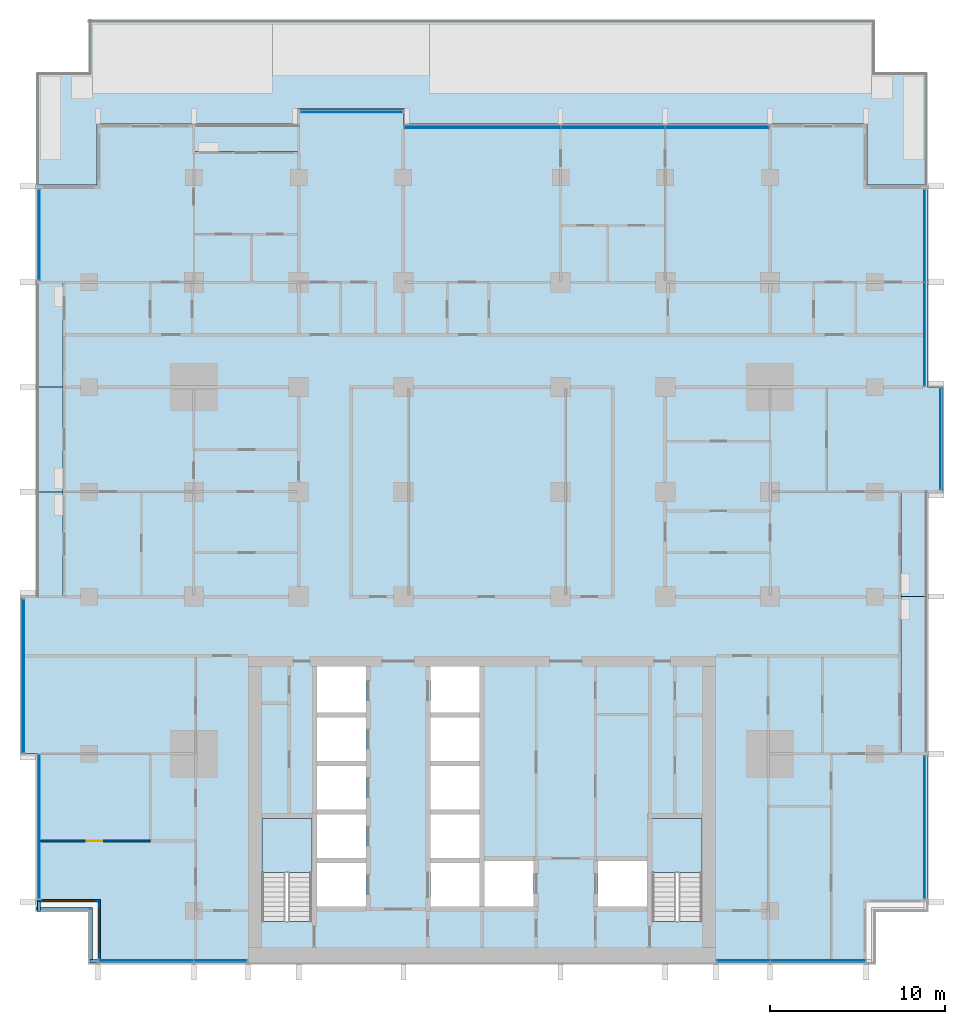
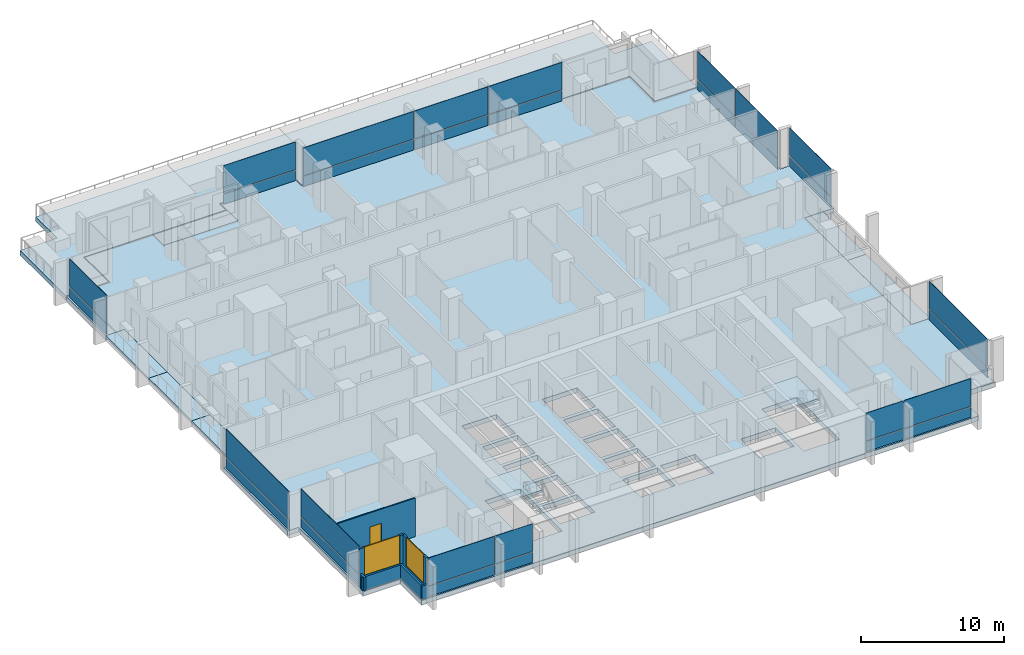
# One storey, part 6 of 19: 30 plates, 10 slabs, 7 walls, 2 windows, 1 door, 3 openings, 12 elements without a shape of their own.
"""IFC4 building model written with IfcOpenShell, lengths in metres."""

from ifc_helpers import new_model, si_unit, direction, frame, frame_2d, origin, origin_2d, place, context, subcontext, project, spatial, polyline, rectangle, outline, extrude, material, layer, layer_set, type_object, element, fill, aggregate, save


model = new_model("IFC4")

# Units and contexts
model_context = context("Model", 3, precision=1e-05, world=origin(), true_north=direction((0.0, 1.0)))
body_context = subcontext(model_context, "Body", "Model", "MODEL_VIEW")
ifc_project = project(units=[si_unit("LENGTHUNIT", "METRE"), si_unit("AREAUNIT", "SQUARE_METRE"), si_unit("VOLUMEUNIT", "CUBIC_METRE"), si_unit("PLANEANGLEUNIT", "RADIAN"), si_unit("MASSUNIT", "GRAM", prefix="KILO")], contexts=[model_context])

# Site, building, storey
site_placement = place(None, origin())
site = spatial("IfcSite", under=ifc_project, at=site_placement, CompositionType="ELEMENT")
building_placement = place(site_placement, origin())
building = spatial("IfcBuilding", under=site, at=building_placement, Name="Finial Court Residences", CompositionType="ELEMENT")
storey_placement = place(building_placement, frame((0.0, 0.0, 81.10009765625)))
storey = spatial("IfcBuildingStorey", under=building, at=storey_placement, Name="L19", CompositionType="ELEMENT", Elevation=81.10009765625)

# Slabs
ifc_material_1 = material(Name="Concrete C35/45", Category="concrete")
ifc_layer_1 = layer(ifc_material_1, 0.199951171875)
ifc_layer_set_1 = layer_set([ifc_layer_1], Name="Balcony slab, Concrete C35/45 200")
slab_type_1 = type_object("IfcSlabType", Name="Balcony slab, Concrete C35/45 200", PredefinedType="FLOOR", material=ifc_layer_set_1)
slab_1_placement = place(storey_placement, frame((0.0, 0.0, -0.2001953125)))
element("IfcSlab", 1, at=slab_1_placement, inside=storey, type_object=slab_type_1, Name="Balcony L19-N2", PredefinedType="FLOOR", context=body_context, shape_type="SweptSolid", body=[
    extrude(outline(polyline([(-10.5, 21.0), (-10.5, 22.5), (-16.5, 22.5), (-16.5, 21.0), (-10.5, 21.0)])), origin(), (0.0, 0.0, 1.0), 0.2001953125),
])
slab_2_placement = place(storey_placement, frame((0.0, 0.0, -0.2001953125)))
element("IfcSlab", 2, at=slab_2_placement, inside=storey, type_object=slab_type_1, Name="Balcony L19-E2", PredefinedType="FLOOR", context=body_context, shape_type="SweptSolid", body=[
    extrude(outline(polyline([(25.5, -13.5), (25.5, -4.5), (24.0, -4.5), (24.0, -13.5), (25.5, -13.5)])), origin(), (0.0, 0.0, 1.0), 0.2001953125),
])
slab_3_placement = place(storey_placement, frame((0.0, 0.0, -0.2001953125)))
element("IfcSlab", 3, at=slab_3_placement, inside=storey, type_object=slab_type_1, Name="Balcony L19-E3", PredefinedType="FLOOR", context=body_context, shape_type="SweptSolid", body=[
    extrude(outline(polyline([(25.5, -4.5), (25.5, 1.5), (24.0, 1.5), (24.0, -4.5), (25.5, -4.5)])), origin(), (0.0, 0.0, 1.0), 0.2001953125),
])
slab_4_placement = place(storey_placement, frame((0.0, 0.0, -0.2001953125)))
element("IfcSlab", 4, at=slab_4_placement, inside=storey, type_object=slab_type_1, Name="Balcony L19-W3", PredefinedType="FLOOR", context=body_context, shape_type="SweptSolid", body=[
    extrude(outline(polyline([(-24.0, -4.5), (-24.0, 1.5), (-25.5, 1.5), (-25.5, -4.5), (-24.0, -4.5)])), origin(), (0.0, 0.0, 1.0), 0.2001953125),
])
slab_5_placement = place(storey_placement, frame((0.0, 0.0, -0.2001953125)))
element("IfcSlab", 5, at=slab_5_placement, inside=storey, type_object=slab_type_1, Name="Balcony L19-W4", PredefinedType="FLOOR", context=body_context, shape_type="SweptSolid", body=[
    extrude(outline(polyline([(-24.0, 1.5), (-24.0, 7.5), (-25.5, 7.5), (-25.5, 1.5), (-24.0, 1.5)])), origin(), (0.0, 0.0, 1.0), 0.2001953125),
])
slab_6_placement = place(storey_placement, frame((0.0, 0.0, -0.2001953125)))
element("IfcSlab", 6, at=slab_6_placement, inside=storey, type_object=slab_type_1, Name="Balcony L19-W5", PredefinedType="FLOOR", context=body_context, shape_type="SweptSolid", body=[
    extrude(outline(polyline([(-24.0, 7.5), (-24.0, 13.5), (-25.5, 13.5), (-25.5, 7.5), (-24.0, 7.5)])), origin(), (0.0, 0.0, 1.0), 0.2001953125),
])

# Curtain wall, plate
ifc_material_2 = material(Name="Bronze anodised aluminium", Category="aluminium")
curtain_wall_type = type_object("IfcCurtainWallType", Name="Unitised curtain wall, lower and middle zones", PredefinedType="NOTDEFINED", material=ifc_material_2)
curtain_wall_1_placement = place(storey_placement, origin())
curtain_wall_1 = element("IfcCurtainWall", 7, at=curtain_wall_1_placement, inside=storey, type_object=curtain_wall_type, Name="E-L19-CW-N1", PredefinedType="NOTDEFINED")
ifc_layer_2 = layer(ifc_material_2, 0.0400390625)
ifc_layer_set_2 = layer_set([ifc_layer_2], Name="CW1 spandrel panel 40")
plate_type_1 = type_object("IfcPlateType", Name="CW1 spandrel panel 40", PredefinedType="CURTAIN_PANEL", material=ifc_layer_set_2)
plate_1_placement = place(storey_placement, frame((-7.46240234375, 23.25, 0.0), z_axis=(0.0, 0.0, 1.0), x_axis=(1.0, 0.0, 0.0)))
plate_1 = element("IfcPlate", 8, at=plate_1_placement, type_object=plate_type_1, Name="CW1 spandrel 1.1", PredefinedType="CURTAIN_PANEL", context=body_context, shape_type="SweptSolid", body=[
    extrude(rectangle(XDim=5.794921875, YDim=0.0400390625, at=origin_2d()), origin(), (0.0, 0.0, 1.0), 0.867431640625),
])

# Curtain wall, plates
curtain_wall_2_placement = place(storey_placement, origin())
curtain_wall_2 = element("IfcCurtainWall", 9, at=curtain_wall_2_placement, inside=storey, type_object=curtain_wall_type, Name="E-L19-CW-N2", PredefinedType="NOTDEFINED")
plate_2_placement = place(storey_placement, frame((0.01611328125, 22.35009765625, 0.0), z_axis=(0.0, 0.0, 1.0), x_axis=(1.0, 0.0, 0.0)))
plate_2 = element("IfcPlate", 10, at=plate_2_placement, type_object=plate_type_1, Name="CW1 spandrel 1.1", PredefinedType="CURTAIN_PANEL", context=body_context, shape_type="SweptSolid", body=[
    extrude(rectangle(XDim=8.902587890625, YDim=0.0400390625, at=origin_2d()), origin(), (0.0, 0.0, 1.0), 0.867431640625),
])
plate_3_placement = place(storey_placement, frame((7.5, 22.35009765625, 0.0), z_axis=(0.0, 0.0, 1.0), x_axis=(1.0, 0.0, 0.0)))
plate_3 = element("IfcPlate", 11, at=plate_3_placement, type_object=plate_type_1, Name="CW1 spandrel 2.1", PredefinedType="CURTAIN_PANEL", context=body_context, shape_type="SweptSolid", body=[
    extrude(rectangle(XDim=5.93505859375, YDim=0.0400390625, at=origin_2d()), origin(), (0.0, 0.0, 1.0), 0.867431640625),
])
plate_4_placement = place(storey_placement, frame((13.48388671875, 22.35009765625, 0.0), z_axis=(0.0, 0.0, 1.0), x_axis=(1.0, 0.0, 0.0)))
plate_4 = element("IfcPlate", 12, at=plate_4_placement, type_object=plate_type_1, Name="CW1 spandrel 3.1", PredefinedType="CURTAIN_PANEL", context=body_context, shape_type="SweptSolid", body=[
    extrude(rectangle(XDim=5.902587890625, YDim=0.0400390625, at=origin_2d()), origin(), (0.0, 0.0, 1.0), 0.867431640625),
])

# Curtain wall, plate
curtain_wall_3_placement = place(storey_placement, origin())
curtain_wall_3 = element("IfcCurtainWall", 13, at=curtain_wall_3_placement, inside=storey, type_object=curtain_wall_type, Name="E-L19-CW-E3", PredefinedType="NOTDEFINED")
plate_5_placement = place(storey_placement, frame((25.35009765625, -17.71240234375, 0.0), z_axis=(0.0, 0.0, 1.0), x_axis=(0.0, 1.0, 0.0)))
plate_5 = element("IfcPlate", 14, at=plate_5_placement, type_object=plate_type_1, Name="CW1 spandrel 1.1", PredefinedType="CURTAIN_PANEL", context=body_context, shape_type="SweptSolid", body=[
    extrude(rectangle(XDim=8.14501953125, YDim=0.0400390625, at=origin_2d()), origin(), (0.0, 0.0, 1.0), 0.867431640625),
])

curtain_wall_4_placement = place(storey_placement, origin())
curtain_wall_4 = element("IfcCurtainWall", 15, at=curtain_wall_4_placement, inside=storey, type_object=curtain_wall_type, Name="E-L19-CW-E4", PredefinedType="NOTDEFINED")
plate_6_placement = place(storey_placement, frame((26.25, 4.53759765625, 0.0), z_axis=(0.0, 0.0, 1.0), x_axis=(0.0, 1.0, 0.0)))
plate_6 = element("IfcPlate", 16, at=plate_6_placement, type_object=plate_type_1, Name="CW1 spandrel 1.1", PredefinedType="CURTAIN_PANEL", context=body_context, shape_type="SweptSolid", body=[
    extrude(rectangle(XDim=5.794921875, YDim=0.0400390625, at=origin_2d()), origin(), (0.0, 0.0, 1.0), 0.867431640625),
])

# Curtain wall, plates
curtain_wall_5_placement = place(storey_placement, origin())
curtain_wall_5 = element("IfcCurtainWall", 17, at=curtain_wall_5_placement, inside=storey, type_object=curtain_wall_type, Name="E-L19-CW-E5", PredefinedType="NOTDEFINED")
plate_7_placement = place(storey_placement, frame((25.35009765625, 10.51611328125, 0.0), z_axis=(0.0, 0.0, 1.0), x_axis=(0.0, 1.0, 0.0)))
plate_7 = element("IfcPlate", 18, at=plate_7_placement, type_object=plate_type_1, Name="CW1 spandrel 1.1", PredefinedType="CURTAIN_PANEL", context=body_context, shape_type="SweptSolid", body=[
    extrude(rectangle(XDim=5.902587890625, YDim=0.0400390625, at=origin_2d()), origin(), (0.0, 0.0, 1.0), 0.867431640625),
])
plate_8_placement = place(storey_placement, frame((25.35009765625, 16.15869140625, 0.0), z_axis=(0.0, 0.0, 1.0), x_axis=(0.0, 1.0, 0.0)))
plate_8 = element("IfcPlate", 19, at=plate_8_placement, type_object=plate_type_1, Name="CW1 spandrel 2.1", PredefinedType="CURTAIN_PANEL", context=body_context, shape_type="SweptSolid", body=[
    extrude(rectangle(XDim=5.25244140625, YDim=0.0400390625, at=origin_2d()), origin(), (0.0, 0.0, 1.0), 0.867431640625),
])

curtain_wall_6_placement = place(storey_placement, origin())
curtain_wall_6 = element("IfcCurtainWall", 20, at=curtain_wall_6_placement, inside=storey, type_object=curtain_wall_type, Name="E-L19-CW-S6", PredefinedType="NOTDEFINED")
plate_9_placement = place(storey_placement, frame((-19.23388671875, -25.35009765625, 0.0), z_axis=(0.0, 0.0, 1.0), x_axis=(1.0, 0.0, 0.0)))
plate_9 = element("IfcPlate", 21, at=plate_9_placement, type_object=plate_type_1, Name="CW1 spandrel 1.1", PredefinedType="CURTAIN_PANEL", context=body_context, shape_type="SweptSolid", body=[
    extrude(rectangle(XDim=5.402587890625, YDim=0.0400390625, at=origin_2d()), origin(), (0.0, 0.0, 1.0), 0.867431640625),
])
plate_10_placement = place(storey_placement, frame((-14.96630859375, -25.35009765625, 0.0), z_axis=(0.0, 0.0, 1.0), x_axis=(1.0, 0.0, 0.0)))
plate_10 = element("IfcPlate", 22, at=plate_10_placement, type_object=plate_type_1, Name="CW1 spandrel 2.1", PredefinedType="CURTAIN_PANEL", context=body_context, shape_type="SweptSolid", body=[
    extrude(rectangle(XDim=3.00244140625, YDim=0.0400390625, at=origin_2d()), origin(), (0.0, 0.0, 1.0), 0.867431640625),
])

curtain_wall_7_placement = place(storey_placement, origin())
curtain_wall_7 = element("IfcCurtainWall", 23, at=curtain_wall_7_placement, inside=storey, type_object=curtain_wall_type, Name="E-L19-CW-S7", PredefinedType="NOTDEFINED")
plate_11_placement = place(storey_placement, frame((14.96630859375, -25.35009765625, 0.0), z_axis=(0.0, 0.0, 1.0), x_axis=(1.0, 0.0, 0.0)))
plate_11 = element("IfcPlate", 24, at=plate_11_placement, type_object=plate_type_1, Name="CW1 spandrel 1.1", PredefinedType="CURTAIN_PANEL", context=body_context, shape_type="SweptSolid", body=[
    extrude(rectangle(XDim=3.00244140625, YDim=0.0400390625, at=origin_2d()), origin(), (0.0, 0.0, 1.0), 0.867431640625),
])
plate_12_placement = place(storey_placement, frame((19.23388671875, -25.35009765625, 0.0), z_axis=(0.0, 0.0, 1.0), x_axis=(1.0, 0.0, 0.0)))
plate_12 = element("IfcPlate", 25, at=plate_12_placement, type_object=plate_type_1, Name="CW1 spandrel 2.1", PredefinedType="CURTAIN_PANEL", context=body_context, shape_type="SweptSolid", body=[
    extrude(rectangle(XDim=5.402587890625, YDim=0.0400390625, at=origin_2d()), origin(), (0.0, 0.0, 1.0), 0.867431640625),
])

# Curtain wall, plate
curtain_wall_8_placement = place(storey_placement, origin())
curtain_wall_8 = element("IfcCurtainWall", 26, at=curtain_wall_8_placement, inside=storey, type_object=curtain_wall_type, Name="E-L19-CW-W8", PredefinedType="NOTDEFINED")
plate_13_placement = place(storey_placement, frame((-25.35009765625, -17.675048828125, 0.0), z_axis=(0.0, 0.0, 1.0), x_axis=(0.0, 1.0, 0.0)))
plate_13 = element("IfcPlate", 27, at=plate_13_placement, type_object=plate_type_1, Name="CW1 spandrel 1.1", PredefinedType="CURTAIN_PANEL", context=body_context, shape_type="SweptSolid", body=[
    extrude(rectangle(XDim=8.219970703125, YDim=0.0400390625, at=origin_2d()), origin(), (0.0, 0.0, 1.0), 0.867431640625),
])

curtain_wall_9_placement = place(storey_placement, origin())
curtain_wall_9 = element("IfcCurtainWall", 28, at=curtain_wall_9_placement, inside=storey, type_object=curtain_wall_type, Name="E-L19-CW-W9", PredefinedType="NOTDEFINED")
plate_14_placement = place(storey_placement, frame((-26.25, -9.03759765625, 0.0), z_axis=(0.0, 0.0, 1.0), x_axis=(0.0, 1.0, 0.0)))
plate_14 = element("IfcPlate", 29, at=plate_14_placement, type_object=plate_type_1, Name="CW1 spandrel 1.1", PredefinedType="CURTAIN_PANEL", context=body_context, shape_type="SweptSolid", body=[
    extrude(rectangle(XDim=8.794921875, YDim=0.0400390625, at=origin_2d()), origin(), (0.0, 0.0, 1.0), 0.867431640625),
])

curtain_wall_10_placement = place(storey_placement, origin())
curtain_wall_10 = element("IfcCurtainWall", 30, at=curtain_wall_10_placement, inside=storey, type_object=curtain_wall_type, Name="E-L19-CW-W10", PredefinedType="NOTDEFINED")
plate_15_placement = place(storey_placement, frame((-25.35009765625, 16.21240234375, 0.0), z_axis=(0.0, 0.0, 1.0), x_axis=(0.0, 1.0, 0.0)))
plate_15 = element("IfcPlate", 31, at=plate_15_placement, type_object=plate_type_1, Name="CW1 spandrel 1.1", PredefinedType="CURTAIN_PANEL", context=body_context, shape_type="SweptSolid", body=[
    extrude(rectangle(XDim=5.14501953125, YDim=0.0400390625, at=origin_2d()), origin(), (0.0, 0.0, 1.0), 0.867431640625),
])

# Plate
ifc_material_3 = material(Name="Clear low-e glass", Category="glass")
ifc_layer_3 = layer(ifc_material_3, 0.031982421875)
ifc_layer_set_3 = layer_set([ifc_layer_3], Name="CW1 vision glass 32")
plate_type_2 = type_object("IfcPlateType", Name="CW1 vision glass 32", PredefinedType="CURTAIN_PANEL", material=ifc_layer_set_3)
plate_16_placement = place(storey_placement, frame((-7.46240234375, 23.25, 0.9326171875), z_axis=(0.0, 0.0, 1.0), x_axis=(1.0, 0.0, 0.0)))
plate_16 = element("IfcPlate", 32, at=plate_16_placement, type_object=plate_type_2, Name="CW1 glass 1.2", PredefinedType="CURTAIN_PANEL", context=body_context, shape_type="SweptSolid", body=[
    extrude(rectangle(XDim=5.794921875, YDim=0.031982421875, at=origin_2d()), origin(), (0.0, 0.0, 1.0), 2.367431640625),
])

aggregate(curtain_wall_1, [plate_1, plate_16])

plate_17_placement = place(storey_placement, frame((0.01611328125, 22.35009765625, 0.9326171875), z_axis=(0.0, 0.0, 1.0), x_axis=(1.0, 0.0, 0.0)))
plate_17 = element("IfcPlate", 33, at=plate_17_placement, type_object=plate_type_2, Name="CW1 glass 1.2", PredefinedType="CURTAIN_PANEL", context=body_context, shape_type="SweptSolid", body=[
    extrude(rectangle(XDim=8.902587890625, YDim=0.031982421875, at=origin_2d()), origin(), (0.0, 0.0, 1.0), 2.367431640625),
])

plate_18_placement = place(storey_placement, frame((7.5, 22.35009765625, 0.9326171875), z_axis=(0.0, 0.0, 1.0), x_axis=(1.0, 0.0, 0.0)))
plate_18 = element("IfcPlate", 34, at=plate_18_placement, type_object=plate_type_2, Name="CW1 glass 2.2", PredefinedType="CURTAIN_PANEL", context=body_context, shape_type="SweptSolid", body=[
    extrude(rectangle(XDim=5.93505859375, YDim=0.031982421875, at=origin_2d()), origin(), (0.0, 0.0, 1.0), 2.367431640625),
])

plate_19_placement = place(storey_placement, frame((13.48388671875, 22.35009765625, 0.9326171875), z_axis=(0.0, 0.0, 1.0), x_axis=(1.0, 0.0, 0.0)))
plate_19 = element("IfcPlate", 35, at=plate_19_placement, type_object=plate_type_2, Name="CW1 glass 3.2", PredefinedType="CURTAIN_PANEL", context=body_context, shape_type="SweptSolid", body=[
    extrude(rectangle(XDim=5.902587890625, YDim=0.031982421875, at=origin_2d()), origin(), (0.0, 0.0, 1.0), 2.367431640625),
])

aggregate(curtain_wall_2, [plate_2, plate_17, plate_3, plate_18, plate_4, plate_19])

plate_20_placement = place(storey_placement, frame((25.35009765625, -17.71240234375, 0.9326171875), z_axis=(0.0, 0.0, 1.0), x_axis=(0.0, 1.0, 0.0)))
plate_20 = element("IfcPlate", 36, at=plate_20_placement, type_object=plate_type_2, Name="CW1 glass 1.2", PredefinedType="CURTAIN_PANEL", context=body_context, shape_type="SweptSolid", body=[
    extrude(rectangle(XDim=8.14501953125, YDim=0.031982421875, at=origin_2d()), origin(), (0.0, 0.0, 1.0), 2.367431640625),
])

aggregate(curtain_wall_3, [plate_5, plate_20])

plate_21_placement = place(storey_placement, frame((26.25, 4.53759765625, 0.9326171875), z_axis=(0.0, 0.0, 1.0), x_axis=(0.0, 1.0, 0.0)))
plate_21 = element("IfcPlate", 37, at=plate_21_placement, type_object=plate_type_2, Name="CW1 glass 1.2", PredefinedType="CURTAIN_PANEL", context=body_context, shape_type="SweptSolid", body=[
    extrude(rectangle(XDim=5.794921875, YDim=0.031982421875, at=origin_2d()), origin(), (0.0, 0.0, 1.0), 2.367431640625),
])

aggregate(curtain_wall_4, [plate_6, plate_21])

plate_22_placement = place(storey_placement, frame((25.35009765625, 10.51611328125, 0.9326171875), z_axis=(0.0, 0.0, 1.0), x_axis=(0.0, 1.0, 0.0)))
plate_22 = element("IfcPlate", 38, at=plate_22_placement, type_object=plate_type_2, Name="CW1 glass 1.2", PredefinedType="CURTAIN_PANEL", context=body_context, shape_type="SweptSolid", body=[
    extrude(rectangle(XDim=5.902587890625, YDim=0.031982421875, at=origin_2d()), origin(), (0.0, 0.0, 1.0), 2.367431640625),
])

plate_23_placement = place(storey_placement, frame((25.35009765625, 16.15869140625, 0.9326171875), z_axis=(0.0, 0.0, 1.0), x_axis=(0.0, 1.0, 0.0)))
plate_23 = element("IfcPlate", 39, at=plate_23_placement, type_object=plate_type_2, Name="CW1 glass 2.2", PredefinedType="CURTAIN_PANEL", context=body_context, shape_type="SweptSolid", body=[
    extrude(rectangle(XDim=5.25244140625, YDim=0.031982421875, at=origin_2d()), origin(), (0.0, 0.0, 1.0), 2.367431640625),
])

aggregate(curtain_wall_5, [plate_7, plate_22, plate_8, plate_23])

plate_24_placement = place(storey_placement, frame((-19.23388671875, -25.35009765625, 0.9326171875), z_axis=(0.0, 0.0, 1.0), x_axis=(1.0, 0.0, 0.0)))
plate_24 = element("IfcPlate", 40, at=plate_24_placement, type_object=plate_type_2, Name="CW1 glass 1.2", PredefinedType="CURTAIN_PANEL", context=body_context, shape_type="SweptSolid", body=[
    extrude(rectangle(XDim=5.402587890625, YDim=0.031982421875, at=origin_2d()), origin(), (0.0, 0.0, 1.0), 2.367431640625),
])

plate_25_placement = place(storey_placement, frame((-14.96630859375, -25.35009765625, 0.9326171875), z_axis=(0.0, 0.0, 1.0), x_axis=(1.0, 0.0, 0.0)))
plate_25 = element("IfcPlate", 41, at=plate_25_placement, type_object=plate_type_2, Name="CW1 glass 2.2", PredefinedType="CURTAIN_PANEL", context=body_context, shape_type="SweptSolid", body=[
    extrude(rectangle(XDim=3.00244140625, YDim=0.031982421875, at=origin_2d()), origin(), (0.0, 0.0, 1.0), 2.367431640625),
])

aggregate(curtain_wall_6, [plate_9, plate_24, plate_10, plate_25])

plate_26_placement = place(storey_placement, frame((14.96630859375, -25.35009765625, 0.9326171875), z_axis=(0.0, 0.0, 1.0), x_axis=(1.0, 0.0, 0.0)))
plate_26 = element("IfcPlate", 42, at=plate_26_placement, type_object=plate_type_2, Name="CW1 glass 1.2", PredefinedType="CURTAIN_PANEL", context=body_context, shape_type="SweptSolid", body=[
    extrude(rectangle(XDim=3.00244140625, YDim=0.031982421875, at=origin_2d()), origin(), (0.0, 0.0, 1.0), 2.367431640625),
])

plate_27_placement = place(storey_placement, frame((19.23388671875, -25.35009765625, 0.9326171875), z_axis=(0.0, 0.0, 1.0), x_axis=(1.0, 0.0, 0.0)))
plate_27 = element("IfcPlate", 43, at=plate_27_placement, type_object=plate_type_2, Name="CW1 glass 2.2", PredefinedType="CURTAIN_PANEL", context=body_context, shape_type="SweptSolid", body=[
    extrude(rectangle(XDim=5.402587890625, YDim=0.031982421875, at=origin_2d()), origin(), (0.0, 0.0, 1.0), 2.367431640625),
])

aggregate(curtain_wall_7, [plate_11, plate_26, plate_12, plate_27])

plate_28_placement = place(storey_placement, frame((-25.35009765625, -17.675048828125, 0.9326171875), z_axis=(0.0, 0.0, 1.0), x_axis=(0.0, 1.0, 0.0)))
plate_28 = element("IfcPlate", 44, at=plate_28_placement, type_object=plate_type_2, Name="CW1 glass 1.2", PredefinedType="CURTAIN_PANEL", context=body_context, shape_type="SweptSolid", body=[
    extrude(rectangle(XDim=8.219970703125, YDim=0.031982421875, at=origin_2d()), origin(), (0.0, 0.0, 1.0), 2.367431640625),
])

aggregate(curtain_wall_8, [plate_13, plate_28])

plate_29_placement = place(storey_placement, frame((-26.25, -9.03759765625, 0.9326171875), z_axis=(0.0, 0.0, 1.0), x_axis=(0.0, 1.0, 0.0)))
plate_29 = element("IfcPlate", 45, at=plate_29_placement, type_object=plate_type_2, Name="CW1 glass 1.2", PredefinedType="CURTAIN_PANEL", context=body_context, shape_type="SweptSolid", body=[
    extrude(rectangle(XDim=8.794921875, YDim=0.031982421875, at=origin_2d()), origin(), (0.0, 0.0, 1.0), 2.367431640625),
])

aggregate(curtain_wall_9, [plate_14, plate_29])

plate_30_placement = place(storey_placement, frame((-25.35009765625, 16.21240234375, 0.9326171875), z_axis=(0.0, 0.0, 1.0), x_axis=(0.0, 1.0, 0.0)))
plate_30 = element("IfcPlate", 46, at=plate_30_placement, type_object=plate_type_2, Name="CW1 glass 1.2", PredefinedType="CURTAIN_PANEL", context=body_context, shape_type="SweptSolid", body=[
    extrude(rectangle(XDim=5.14501953125, YDim=0.031982421875, at=origin_2d()), origin(), (0.0, 0.0, 1.0), 2.367431640625),
])

aggregate(curtain_wall_10, [plate_15, plate_30])

# Stair, slab
ifc_material_4 = material(Name="Concrete C50/60", Category="concrete")
stair_type = type_object("IfcStairType", Name="Exit stair 22 risers of 163.6 mm", PredefinedType="HALF_TURN_STAIR", material=ifc_material_4)
stair_1_placement = place(storey_placement, origin())
stair_1 = element("IfcStair", 47, at=stair_1_placement, inside=storey, type_object=stair_type, Name="L19 Exit stair ST-1", PredefinedType="HALF_TURN_STAIR")
ifc_layer_4 = layer(ifc_material_4, 0.199951171875)
ifc_layer_set_4 = layer_set([ifc_layer_4], Name="Exit stair landing")
slab_type_2 = type_object("IfcSlabType", Name="Exit stair landing", PredefinedType="LANDING", material=ifc_layer_set_4)
slab_7_placement = place(storey_placement, frame((0.0, 0.0, 1.599853515625)))
slab_7 = element("IfcSlab", 48, at=slab_7_placement, type_object=slab_type_2, Name="ST-1 landing 1", PredefinedType="LANDING", context=body_context, shape_type="SweptSolid", body=[
    extrude(outline(polyline([(-9.75, -20.300048828125), (-9.75, -17.199951171875), (-12.60009765625, -17.199951171875), (-12.60009765625, -20.300048828125), (-9.75, -20.300048828125)])), origin(), (0.0, 0.0, 1.0), 0.199951171875),
])
aggregate(stair_1, [slab_7])

stair_2_placement = place(storey_placement, origin())
stair_2 = element("IfcStair", 49, at=stair_2_placement, inside=storey, type_object=stair_type, Name="L19 Exit stair ST-2", PredefinedType="HALF_TURN_STAIR")
slab_8_placement = place(storey_placement, frame((0.0, 0.0, 1.599853515625)))
slab_8 = element("IfcSlab", 50, at=slab_8_placement, type_object=slab_type_2, Name="ST-2 landing 1", PredefinedType="LANDING", context=body_context, shape_type="SweptSolid", body=[
    extrude(outline(polyline([(12.60009765625, -20.300048828125), (12.60009765625, -17.199951171875), (9.75, -17.199951171875), (9.75, -20.300048828125), (12.60009765625, -20.300048828125)])), origin(), (0.0, 0.0, 1.0), 0.199951171875),
])
aggregate(stair_2, [slab_8])

# Slabs
ifc_material_5 = material(Name="Concrete C40/50", Category="concrete")
ifc_layer_5 = layer(ifc_material_5, 0.39990234375)
ifc_layer_set_5 = layer_set([ifc_layer_5], Name="Flat plate slab 400 Concrete C40/50")
slab_type_3 = type_object("IfcSlabType", Name="Flat plate slab 400 Concrete C40/50", PredefinedType="FLOOR", material=ifc_layer_set_5)
slab_9_placement = place(storey_placement, frame((0.0, 0.0, -0.400146484375)))
element("IfcSlab", 51, at=slab_9_placement, inside=storey, type_object=slab_type_3, Name="S:SLAB:L19", PredefinedType="FLOOR", context=body_context, shape_type="SweptSolid", body=[
    extrude(outline(polyline([(-22.5, -25.5), (-22.5, -22.5), (-25.5, -22.5), (-25.5, -22.0), (-25.5, -13.5), (-26.39990234375, -13.5), (-26.39990234375, -4.5), (-25.5, -4.5), (-24.0, -4.5), (-24.0, 1.5), (-24.0, 7.5), (-24.0, 13.5), (-25.5, 13.5), (-25.5, 19.0), (-22.0, 19.0), (-22.0, 22.5), (-16.5, 22.5), (-16.5, 21.0), (-10.5, 21.0), (-10.5, 22.5), (-10.5, 23.39990234375), (-4.5, 23.39990234375), (-4.5, 22.5), (22.0, 22.5), (22.0, 19.0), (25.5, 19.0), (25.5, 7.5), (26.39990234375, 7.5), (26.39990234375, 1.5), (25.5, 1.5), (24.0, 1.5), (24.0, -4.5), (24.0, -13.5), (25.5, -13.5), (25.5, -22.0), (25.5, -22.5), (22.5, -22.5), (22.5, -25.5), (22.0, -25.5), (-22.0, -25.5), (-22.5, -25.5)]), holes=[polyline([(-6.64990234375, -19.77001953125), (-9.449951171875, -19.77001953125), (-9.449951171875, -22.25), (-6.64990234375, -22.25), (-6.64990234375, -19.77001953125)]), polyline([(-9.75, -17.199951171875), (-12.60009765625, -17.199951171875), (-12.60009765625, -23.09912109375), (-9.75, -23.09912109375), (-9.75, -17.199951171875)]), polyline([(-6.64990234375, -19.469970703125), (-6.64990234375, -16.989990234375), (-9.449951171875, -16.989990234375), (-9.449951171875, -19.469970703125), (-6.64990234375, -19.469970703125)]), polyline([(-6.64990234375, -16.68994140625), (-6.64990234375, -14.2099609375), (-9.449951171875, -14.2099609375), (-9.449951171875, -16.68994140625), (-6.64990234375, -16.68994140625)]), polyline([(-6.64990234375, -13.909912109375), (-6.64990234375, -11.429931640625), (-9.449951171875, -11.429931640625), (-9.449951171875, -13.909912109375), (-6.64990234375, -13.909912109375)]), polyline([(-6.64990234375, -11.1298828125), (-6.64990234375, -8.5), (-9.449951171875, -8.5), (-9.449951171875, -11.1298828125), (-6.64990234375, -11.1298828125)]), polyline([(-0.14990234375, -11.1298828125), (-0.14990234375, -8.5), (-2.949951171875, -8.5), (-2.949951171875, -11.1298828125), (-0.14990234375, -11.1298828125)]), polyline([(-0.14990234375, -19.77001953125), (-2.949951171875, -19.77001953125), (-2.949951171875, -22.25), (-0.14990234375, -22.25), (-0.14990234375, -19.77001953125)]), polyline([(2.949951171875, -22.25), (2.949951171875, -19.64990234375), (0.14990234375, -19.64990234375), (0.14990234375, -22.25), (2.949951171875, -22.25)]), polyline([(9.449951171875, -22.25), (9.449951171875, -19.64990234375), (6.64990234375, -19.64990234375), (6.64990234375, -22.25), (9.449951171875, -22.25)]), polyline([(12.60009765625, -17.199951171875), (9.75, -17.199951171875), (9.75, -23.09912109375), (12.60009765625, -23.09912109375), (12.60009765625, -17.199951171875)]), polyline([(-0.14990234375, -19.469970703125), (-0.14990234375, -16.989990234375), (-2.949951171875, -16.989990234375), (-2.949951171875, -19.469970703125), (-0.14990234375, -19.469970703125)]), polyline([(-0.14990234375, -16.68994140625), (-0.14990234375, -14.2099609375), (-2.949951171875, -14.2099609375), (-2.949951171875, -16.68994140625), (-0.14990234375, -16.68994140625)]), polyline([(-0.14990234375, -13.909912109375), (-0.14990234375, -11.429931640625), (-2.949951171875, -11.429931640625), (-2.949951171875, -13.909912109375), (-0.14990234375, -13.909912109375)])]), origin(), (0.0, 0.0, 1.0), 0.400146484375),
])
ifc_layer_6 = layer(ifc_material_5, 0.39990234375)
ifc_layer_set_6 = layer_set([ifc_layer_6], Name="Terrace slab, Concrete C40/50 400")
slab_type_4 = type_object("IfcSlabType", Name="Terrace slab, Concrete C40/50 400", PredefinedType="FLOOR", material=ifc_layer_set_6)
slab_10_placement = place(storey_placement, frame((0.0, 0.0, -0.400146484375)))
element("IfcSlab", 52, at=slab_10_placement, inside=storey, type_object=slab_type_4, Name="Terrace L19 1", PredefinedType="FLOOR", context=body_context, shape_type="SweptSolid", body=[
    extrude(outline(polyline([(-22.5, 28.5), (22.5, 28.5), (22.5, 25.5), (25.5, 25.5), (25.5, 19.06005859375), (22.06005859375, 19.06005859375), (22.06005859375, 22.56005859375), (-4.43994140625, 22.56005859375), (-4.43994140625, 23.4599609375), (-10.56005859375, 23.4599609375), (-10.56005859375, 22.56005859375), (-22.06005859375, 22.56005859375), (-22.06005859375, 19.06005859375), (-25.5, 19.06005859375), (-25.5, 25.5), (-22.5, 25.5), (-22.5, 28.5)])), origin(), (0.0, 0.0, 1.0), 0.400146484375),
])

# Wall, opening, door
ifc_material_6 = material(Name="Gypsum board")
ifc_layer_7 = layer(ifc_material_6, 0.012451171875)
ifc_material_7 = material(Name="Mineral wool in light-gauge frame")
ifc_layer_8 = layer(ifc_material_7, 0.074951171875)
ifc_layer_9 = layer(ifc_material_6, 0.012451171875)
ifc_layer_set_7 = layer_set([ifc_layer_7, ifc_layer_8, ifc_layer_9], Name="Gypsum board partition 100")
wall_type_1 = type_object("IfcWallType", Name="Gypsum board partition 100", PredefinedType="PARTITIONING", material=ifc_layer_set_7)
wall_1_placement = place(storey_placement, frame((-25.25, -18.5, 0.0), z_axis=(0.0, 0.0, 1.0), x_axis=(1.0, 0.0, 0.0)))
wall_1 = element("IfcWall", 53, at=wall_1_placement, inside=storey, type_object=wall_type_1, Name="Partition L19-002", PredefinedType="PARTITIONING", context=body_context, shape_type="SweptSolid", body=[
    extrude(rectangle(XDim=6.25, YDim=0.10009765625, at=frame_2d((3.125, 0.0))), origin(), (0.0, 0.0, 1.0), 3.2998046875),
])
opening_1_placement = place(wall_1_placement, frame((2.60009765625, 0.0, 0.0)))
opening_1 = element("IfcOpeningElement", 54, at=opening_1_placement, cuts=wall_1, Name="Opening L19-D003", PredefinedType="OPENING", context=body_context, shape_type="SweptSolid", body=[
    extrude(rectangle(XDim=0.89990234375, YDim=2.10009765625, at=frame_2d((0.449951171875, 1.050048828125))), frame((0.0, 0.06005859375, 0.0), z_axis=(0.0, -1.0, 0.0), x_axis=(1.0, 0.0, 0.0)), (0.0, 0.0, 1.0), 0.1201171875),
])
ifc_material_8 = material(Name="Timber door leaf in timber frame", Category="wood")
door_type = type_object("IfcDoorType", Name="Door set 900 x 2100", OperationType="SINGLE_SWING_LEFT", PredefinedType="DOOR", material=ifc_material_8)
door_placement = place(opening_1_placement, origin())
door = element("IfcDoor", 55, at=door_placement, inside=storey, type_object=door_type, Name="Door L19-D003", OperationType="SINGLE_SWING_RIGHT", OverallHeight=2.10009765625, OverallWidth=0.89990234375, PredefinedType="DOOR", context=body_context, shape_type="SweptSolid", body=[
    extrude(rectangle(XDim=0.89990234375, YDim=2.10009765625, at=frame_2d((0.449951171875, 1.050048828125))), frame((0.0, 0.02490234375, 0.0), z_axis=(0.0, -1.0, 0.0), x_axis=(1.0, 0.0, 0.0)), (0.0, 0.0, 1.0), 0.050048828125),
])
fill(opening_1, door)

# Walls
ifc_layer_10 = layer(ifc_material_1, 0.14990234375)
ifc_layer_set_8 = layer_set([ifc_layer_10], Name="Ledge parapet, Concrete C35/45 150")
wall_type_2 = type_object("IfcWallType", Name="Ledge parapet, Concrete C35/45 150", PredefinedType="PARAPET", material=ifc_layer_set_8)
wall_2_placement = place(storey_placement, frame((-25.375, -22.550048828125, 0.0), z_axis=(0.0, 0.0, 1.0), x_axis=(0.0, 1.0, 0.0)))
element("IfcWall", 56, at=wall_2_placement, inside=storey, type_object=wall_type_2, Name="E-L19-LED2-P1", PredefinedType="PARAPET", context=body_context, shape_type="SweptSolid", body=[
    extrude(rectangle(XDim=0.590087890625, YDim=0.14990234375, at=frame_2d((0.294921875, 0.0))), origin(), (0.0, 0.0, 1.0), 1.14990234375),
])
wall_3_placement = place(storey_placement, frame((-21.9599609375, -25.375, 0.0), z_axis=(0.0, 0.0, 1.0), x_axis=(-1.0, 0.0, 0.0)))
element("IfcWall", 57, at=wall_3_placement, inside=storey, type_object=wall_type_2, Name="E-L19-LED2-P2", PredefinedType="PARAPET", context=body_context, shape_type="SweptSolid", body=[
    extrude(rectangle(XDim=0.489990234375, YDim=0.14990234375, at=frame_2d((0.2451171875, 0.0))), origin(), (0.0, 0.0, 1.0), 1.14990234375),
])
wall_4_placement = place(storey_placement, frame((-22.375, -25.300048828125, 0.0), z_axis=(0.0, 0.0, 1.0), x_axis=(0.0, 1.0, 0.0)))
element("IfcWall", 58, at=wall_4_placement, inside=storey, type_object=wall_type_2, Name="E-L19-LED2-P3", PredefinedType="PARAPET", context=body_context, shape_type="SweptSolid", body=[
    extrude(rectangle(XDim=3.0, YDim=0.14990234375, at=frame_2d((1.5, 0.0))), origin(), (0.0, 0.0, 1.0), 1.14990234375),
])
wall_5_placement = place(storey_placement, frame((-22.449951171875, -22.375, 0.0), z_axis=(0.0, 0.0, 1.0), x_axis=(-1.0, 0.0, 0.0)))
element("IfcWall", 59, at=wall_5_placement, inside=storey, type_object=wall_type_2, Name="E-L19-LED2-P4", PredefinedType="PARAPET", context=body_context, shape_type="SweptSolid", body=[
    extrude(rectangle(XDim=3.10009765625, YDim=0.14990234375, at=frame_2d((1.550048828125, 0.0))), origin(), (0.0, 0.0, 1.0), 1.14990234375),
])

# Wall, opening, window
ifc_material_9 = material(Name="Natural limestone", Category="masonry")
ifc_layer_11 = layer(ifc_material_9, 0.14990234375)
ifc_layer_set_9 = layer_set([ifc_layer_11], Name="Limestone clad wall 150")
wall_type_3 = type_object("IfcWallType", Name="Limestone clad wall 150", PredefinedType="SOLIDWALL", material=ifc_layer_set_9)
wall_6_placement = place(storey_placement, frame((-21.925048828125, -25.25, 0.0), z_axis=(0.0, 0.0, 1.0), x_axis=(0.0, 1.0, 0.0)))
wall_6 = element("IfcWall", 60, at=wall_6_placement, inside=storey, type_object=wall_type_3, Name="E-L19-NWW11", PredefinedType="SOLIDWALL", context=body_context, shape_type="SweptSolid", body=[
    extrude(rectangle(XDim=3.25, YDim=0.14990234375, at=frame_2d((1.625, 0.0))), origin(), (0.0, 0.0, 1.0), 3.2998046875),
])
opening_2_placement = place(wall_6_placement, frame((0.39990234375, 0.0, 0.89990234375)))
opening_2 = element("IfcOpeningElement", 61, at=opening_2_placement, cuts=wall_6, Name="Opening WE19-01", PredefinedType="OPENING", context=body_context, shape_type="SweptSolid", body=[
    extrude(rectangle(XDim=2.449951171875, YDim=2.39990234375, at=frame_2d((1.22509765625, 1.199951171875))), frame((0.0, 0.0849609375, 0.0), z_axis=(0.0, -1.0, 0.0), x_axis=(1.0, 0.0, 0.0)), (0.0, 0.0, 1.0), 0.169921875),
])
window_type_1 = type_object("IfcWindowType", Name="Corner window 2450 x 2400", PartitioningType="SINGLE_PANEL", PredefinedType="WINDOW", material=ifc_material_3)
window_1_placement = place(opening_2_placement, origin())
window_1 = element("IfcWindow", 62, at=window_1_placement, inside=storey, type_object=window_type_1, Name="E-L19-NWW11-W1", OverallHeight=2.39990234375, OverallWidth=2.449951171875, PartitioningType="SINGLE_PANEL", PredefinedType="WINDOW", context=body_context, shape_type="SweptSolid", body=[
    extrude(rectangle(XDim=2.449951171875, YDim=2.39990234375, at=frame_2d((1.22509765625, 1.199951171875))), frame((0.0, 0.030029296875, 0.0), z_axis=(0.0, -1.0, 0.0), x_axis=(1.0, 0.0, 0.0)), (0.0, 0.0, 1.0), 0.06005859375),
])
fill(opening_2, window_1)

wall_7_placement = place(storey_placement, frame((-21.85009765625, -21.925048828125, 0.0), z_axis=(0.0, 0.0, 1.0), x_axis=(-1.0, 0.0, 0.0)))
wall_7 = element("IfcWall", 63, at=wall_7_placement, inside=storey, type_object=wall_type_3, Name="E-L19-NWS12", PredefinedType="SOLIDWALL", context=body_context, shape_type="SweptSolid", body=[
    extrude(rectangle(XDim=3.64990234375, YDim=0.14990234375, at=frame_2d((1.824951171875, 0.0))), origin(), (0.0, 0.0, 1.0), 3.2998046875),
])
opening_3_placement = place(wall_7_placement, frame((0.39990234375, 0.0, 0.89990234375)))
opening_3 = element("IfcOpeningElement", 64, at=opening_3_placement, cuts=wall_7, Name="Opening WE19-02", PredefinedType="OPENING", context=body_context, shape_type="SweptSolid", body=[
    extrude(rectangle(XDim=2.85009765625, YDim=2.39990234375, at=frame_2d((1.425048828125, 1.199951171875))), frame((0.0, 0.0849609375, 0.0), z_axis=(0.0, -1.0, 0.0), x_axis=(1.0, 0.0, 0.0)), (0.0, 0.0, 1.0), 0.169921875),
])
window_type_2 = type_object("IfcWindowType", Name="Corner window 2850 x 2400", PartitioningType="SINGLE_PANEL", PredefinedType="WINDOW", material=ifc_material_3)
window_2_placement = place(opening_3_placement, origin())
window_2 = element("IfcWindow", 65, at=window_2_placement, inside=storey, type_object=window_type_2, Name="E-L19-NWS12-W1", OverallHeight=2.39990234375, OverallWidth=2.85009765625, PartitioningType="SINGLE_PANEL", PredefinedType="WINDOW", context=body_context, shape_type="SweptSolid", body=[
    extrude(rectangle(XDim=2.85009765625, YDim=2.39990234375, at=frame_2d((1.425048828125, 1.199951171875))), frame((0.0, 0.030029296875, 0.0), z_axis=(0.0, -1.0, 0.0), x_axis=(1.0, 0.0, 0.0)), (0.0, 0.0, 1.0), 0.06005859375),
])
fill(opening_3, window_2)

save(model, "model.ifc")
